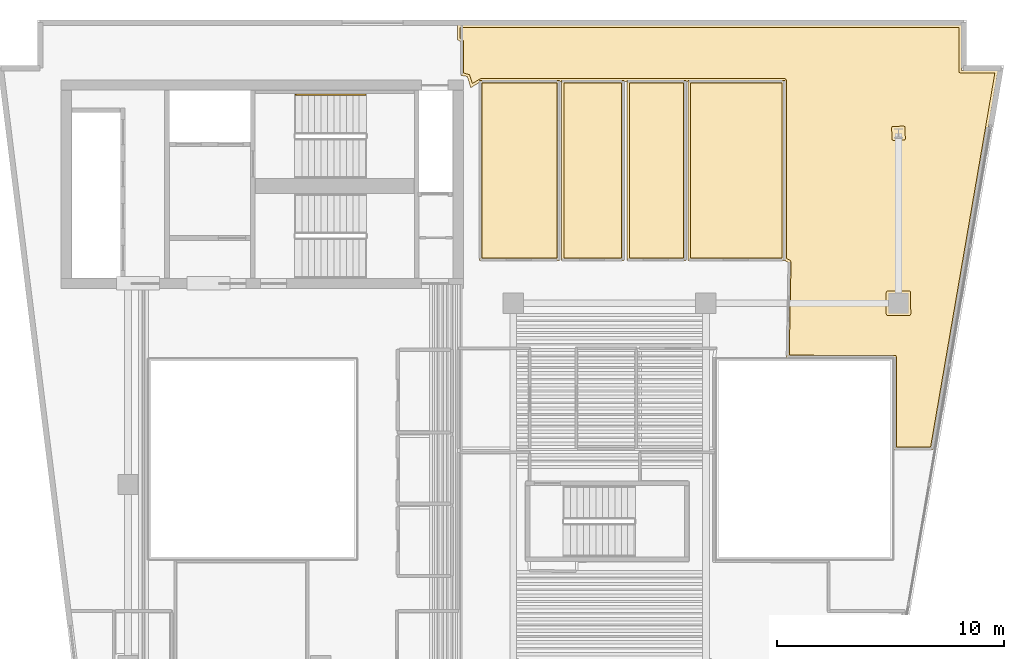
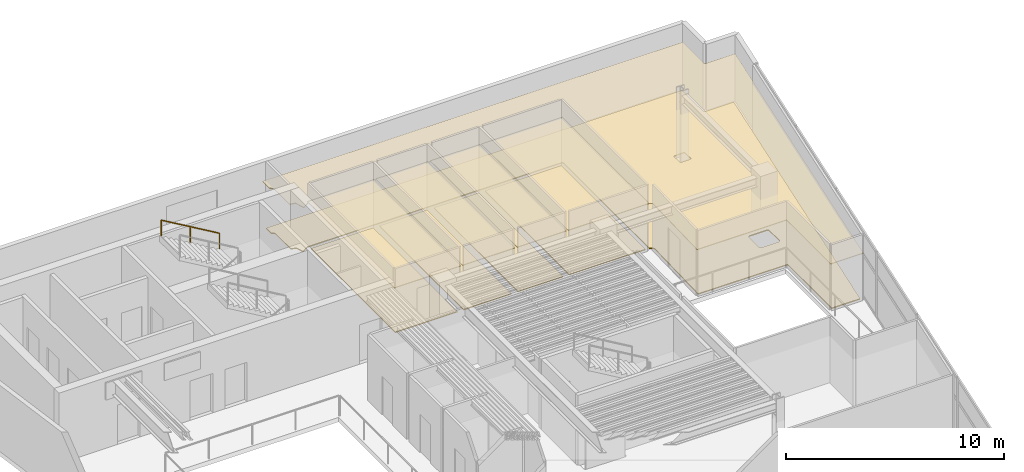
# One storey, part 10 of 10: 10 coverings, 1 railing.
"""IFC4 building model written with IfcOpenShell, lengths in metres."""

from ifc_helpers import new_model, si_unit, direction, frame, origin, origin_2d, place, context, subcontext, project, spatial, polyline, rectangle, outline, extrude, material, layer, layer_set, type_object, element, save


model = new_model("IFC4")

# Units and contexts
model_context = context("Model", 3, precision=1e-05, world=origin(), true_north=direction((0.0, 1.0)))
body_context = subcontext(model_context, "Body", "Model", "MODEL_VIEW")
ifc_project = project(units=[si_unit("LENGTHUNIT", "METRE"), si_unit("AREAUNIT", "SQUARE_METRE"), si_unit("VOLUMEUNIT", "CUBIC_METRE"), si_unit("PLANEANGLEUNIT", "RADIAN"), si_unit("MASSUNIT", "GRAM", prefix="KILO")], contexts=[model_context])

# Site, building, storey
site_placement = place(None, origin())
site = spatial("IfcSite", under=ifc_project, at=site_placement, CompositionType="ELEMENT")
building_placement = place(site_placement, origin())
building = spatial("IfcBuilding", under=site, at=building_placement, Name="Caeloran Harvest Quay", CompositionType="ELEMENT")
storey_placement = place(building_placement, frame((0.0, 0.0, 223.25)))
storey = spatial("IfcBuildingStorey", under=building, at=storey_placement, Name="L53", CompositionType="ELEMENT", Elevation=223.25)

# Coverings
ifc_material_1 = material(Name="Perforated Mineral-Fibre Acoustic Ceiling Tile", Category="ceiling")
ifc_layer_1 = layer(ifc_material_1, 0.0400390625, Name="Perforated Mineral-Fibre Acoustic Ceiling Tile")
ifc_layer_set_1 = layer_set([ifc_layer_1], Name="Perforated Mineral-Fibre Acoustic Ceiling Tile")
covering_type_1 = type_object("IfcCoveringType", Name="COV-CEILING-ACOUSTIC", PredefinedType="CEILING", material=ifc_layer_set_1)
covering_1_placement = place(storey_placement, frame((0.0, 0.0, 2.60009765625)))
element("IfcCovering", 1, at=covering_1_placement, inside=storey, type_object=covering_type_1, Name="L53 Bioinformatics Briefing Lounge Acoustic Ceiling", PredefinedType="CEILING", context=body_context, shape_type="SweptSolid", body=[
    extrude(outline(polyline([(27.5400390625, 40.840087890625), (27.5400390625, 32.8798828125), (24.010009765625, 32.8798828125), (24.010009765625, 40.840087890625), (27.5400390625, 40.840087890625)])), origin(), (0.0, 0.0, 1.0), 0.039794921875),
])
covering_2_placement = place(storey_placement, frame((0.0, 0.0, 2.60009765625)))
element("IfcCovering", 2, at=covering_2_placement, inside=storey, type_object=covering_type_1, Name="L53 Seed Imaging Laboratory Acoustic Ceiling", PredefinedType="CEILING", context=body_context, shape_type="SweptSolid", body=[
    extrude(outline(polyline([(30.389892578125, 40.840087890625), (30.389892578125, 32.8798828125), (27.6201171875, 32.8798828125), (27.6201171875, 40.840087890625), (30.389892578125, 40.840087890625)])), origin(), (0.0, 0.0, 1.0), 0.039794921875),
])
covering_3_placement = place(storey_placement, frame((0.0, 0.0, 2.60009765625)))
element("IfcCovering", 3, at=covering_3_placement, inside=storey, type_object=covering_type_1, Name="L53 Genomics Seminar West Room Acoustic Ceiling", PredefinedType="CEILING", context=body_context, shape_type="SweptSolid", body=[
    extrude(outline(polyline([(33.1298828125, 40.840087890625), (33.1298828125, 32.8798828125), (30.510009765625, 32.8798828125), (30.510009765625, 40.840087890625), (33.1298828125, 40.840087890625)])), origin(), (0.0, 0.0, 1.0), 0.039794921875),
])
covering_4_placement = place(storey_placement, frame((0.0, 0.0, 2.60009765625)))
element("IfcCovering", 4, at=covering_4_placement, inside=storey, type_object=covering_type_1, Name="L53 Executive Archive East Studio Acoustic Ceiling", PredefinedType="CEILING", context=body_context, shape_type="SweptSolid", body=[
    extrude(outline(polyline([(37.489990234375, 40.840087890625), (37.489990234375, 32.8798828125), (33.2099609375, 32.8798828125), (33.2099609375, 40.840087890625), (37.489990234375, 40.840087890625)])), origin(), (0.0, 0.0, 1.0), 0.039794921875),
])
covering_5_placement = place(storey_placement, frame((0.0, 0.0, 2.60009765625)))
element("IfcCovering", 5, at=covering_5_placement, inside=storey, type_object=covering_type_1, Name="Portfolio Catering Kitchen 10 Acoustic Ceiling", PredefinedType="CEILING", context=body_context, shape_type="SweptSolid", body=[
    extrude(outline(polyline([(44.01806640625, 24.5400390625), (42.2900390625, 24.5400390625), (42.2900390625, 28.590087890625), (37.556884765625, 28.590087890625), (37.639404296875, 32.797119140625), (37.43994140625, 32.91015625), (37.43994140625, 40.7900390625), (24.061767578125, 40.7900390625), (23.62841796875, 40.51025390625), (23.47216796875, 41.00439453125), (23.18994140625, 41.06005859375), (23.18994140625, 42.531494140625), (23.0400390625, 42.6298828125), (23.0400390625, 43.280029296875), (45.280029296875, 43.280029296875), (45.280029296875, 41.280029296875), (46.895263671875, 41.280029296875), (44.01806640625, 24.5400390625)])), origin(), (0.0, 0.0, 1.0), 0.039794921875),
])
ifc_material_2 = material(Name="Calcium-Sulphate Raised Access Floor and Terrazzo Finish", Category="flooring")
ifc_layer_2 = layer(ifc_material_2, 0.050048828125, Name="Calcium-Sulphate Raised Access Floor and Terrazzo Finish")
ifc_layer_set_2 = layer_set([ifc_layer_2], Name="Calcium-Sulphate Raised Access Floor and Terrazzo Finish")
covering_type_2 = type_object("IfcCoveringType", Name="COV-FLOOR-RAISED", PredefinedType="FLOORING", material=ifc_layer_set_2)
covering_6_placement = place(storey_placement, origin())
element("IfcCovering", 6, at=covering_6_placement, inside=storey, type_object=covering_type_2, Name="L53 Bioinformatics Briefing Lounge Raised Finish Flooring", PredefinedType="FLOORING", context=body_context, shape_type="SweptSolid", body=[
    extrude(outline(polyline([(27.419921875, 40.719970703125), (27.419921875, 33.0), (24.1298828125, 33.0), (24.1298828125, 40.719970703125), (27.419921875, 40.719970703125)])), origin(), (0.0, 0.0, 1.0), 0.050048828125),
])
covering_7_placement = place(storey_placement, origin())
element("IfcCovering", 7, at=covering_7_placement, inside=storey, type_object=covering_type_2, Name="L53 Seed Imaging Laboratory Raised Finish Flooring", PredefinedType="FLOORING", context=body_context, shape_type="SweptSolid", body=[
    extrude(outline(polyline([(30.27001953125, 40.719970703125), (30.27001953125, 33.0), (27.739990234375, 33.0), (27.739990234375, 40.719970703125), (30.27001953125, 40.719970703125)])), origin(), (0.0, 0.0, 1.0), 0.050048828125),
])
covering_8_placement = place(storey_placement, origin())
element("IfcCovering", 8, at=covering_8_placement, inside=storey, type_object=covering_type_2, Name="L53 Genomics Seminar West Room Raised Finish Flooring", PredefinedType="FLOORING", context=body_context, shape_type="SweptSolid", body=[
    extrude(outline(polyline([(33.010009765625, 40.719970703125), (33.010009765625, 33.0), (30.6298828125, 33.0), (30.6298828125, 40.719970703125), (33.010009765625, 40.719970703125)])), origin(), (0.0, 0.0, 1.0), 0.050048828125),
])
covering_9_placement = place(storey_placement, origin())
element("IfcCovering", 9, at=covering_9_placement, inside=storey, type_object=covering_type_2, Name="L53 Executive Archive East Studio Raised Finish Flooring", PredefinedType="FLOORING", context=body_context, shape_type="SweptSolid", body=[
    extrude(outline(polyline([(37.3701171875, 40.719970703125), (37.3701171875, 33.0), (33.330078125, 33.0), (33.330078125, 40.719970703125), (37.3701171875, 40.719970703125)])), origin(), (0.0, 0.0, 1.0), 0.050048828125),
])
covering_10_placement = place(storey_placement, origin())
element("IfcCovering", 10, at=covering_10_placement, inside=storey, type_object=covering_type_2, Name="Portfolio Catering Kitchen 10 Raised Finish Flooring", PredefinedType="FLOORING", context=body_context, shape_type="SweptSolid", body=[
    extrude(outline(polyline([(45.159912109375, 43.159912109375), (45.17822265625, 41.189208984375), (45.232177734375, 41.160400390625), (46.752685546875, 41.159912109375), (43.916748046875, 24.659912109375), (42.409912109375, 24.659912109375), (42.409912109375, 28.6298828125), (42.380859375, 28.69189453125), (37.679443359375, 28.7099609375), (37.760009765625, 32.818359375), (37.732177734375, 32.880615234375), (37.56005859375, 32.97998046875), (37.56005859375, 40.830078125), (37.53662109375, 40.88671875), (37.47998046875, 40.909912109375), (24.050048828125, 40.909912109375), (23.6953125, 40.6962890625), (23.564697265625, 41.09033203125), (23.31005859375, 41.15869140625), (23.3095703125, 42.560791015625), (23.2861328125, 42.60986328125), (23.159912109375, 42.694580078125), (23.159912109375, 43.159912109375), (45.159912109375, 43.159912109375)]), holes=[polyline([(43.044921875, 30.534912109375), (43.02685546875, 31.515869140625), (42.972900390625, 31.544677734375), (42.034912109375, 31.544921875), (41.978515625, 31.521484375), (41.955078125, 31.465087890625), (41.955078125, 30.534912109375), (41.978515625, 30.478515625), (42.034912109375, 30.455078125), (42.965087890625, 30.455078125), (43.021484375, 30.478515625), (43.044921875, 30.534912109375)]), polyline([(42.802490234375, 38.254150390625), (42.784912109375, 38.788818359375), (42.730712890625, 38.817626953125), (42.226318359375, 38.7998046875), (42.197021484375, 38.738037109375), (42.215087890625, 38.211181640625), (42.277099609375, 38.181884765625), (42.773681640625, 38.2001953125), (42.802490234375, 38.254150390625)])]), origin(), (0.0, 0.0, 1.0), 0.050048828125),
])

# Railing
ifc_material_3 = material(Name="Brushed Stainless Steel Grade 304", Category="steel")
ifc_layer_3 = layer(ifc_material_3, 0.050048828125, Name="Brushed Stainless Steel Grade 304")
ifc_layer_set_3 = layer_set([ifc_layer_3], Name="Brushed Stainless Steel Grade 304")
railing_type = type_object("IfcRailingType", Name="STAIR-HANDRAIL-900", PredefinedType="HANDRAIL", material=ifc_layer_set_3)
railing_placement = place(storey_placement, frame((18.97998046875, 40.199951171875, 2.1396484375)))
element("IfcRailing", 11, at=railing_placement, inside=storey, type_object=railing_type, Name="L53 ST-C1 stair handrail 2", PredefinedType="HANDRAIL", context=body_context, shape_type="SweptSolid", body=[
    extrude(rectangle(XDim=0.048095703125, YDim=0.048095703125, at=origin_2d()), frame((0.0, 0.0, 0.8759765625), z_axis=(-0.862118610829, 0.0, 0.506706523406), x_axis=(0.0, -1.0, 0.0)), (0.0, 0.0, 1.0), 3.57275390625),
    extrude(rectangle(XDim=0.0419921875, YDim=0.0419921875, at=origin_2d()), origin(), (0.0, 0.0, 1.0), 0.851806640625),
    extrude(rectangle(XDim=0.0419921875, YDim=0.0419921875, at=origin_2d()), frame((-1.5400390625, 0.0, 0.9052734375)), (0.0, 0.0, 1.0), 0.851806640625),
    extrude(rectangle(XDim=0.0419921875, YDim=0.0419921875, at=origin_2d()), frame((-3.080078125, 0.0, 1.810302734375)), (0.0, 0.0, 1.0), 0.851806640625),
])

save(model, "model.ifc")
